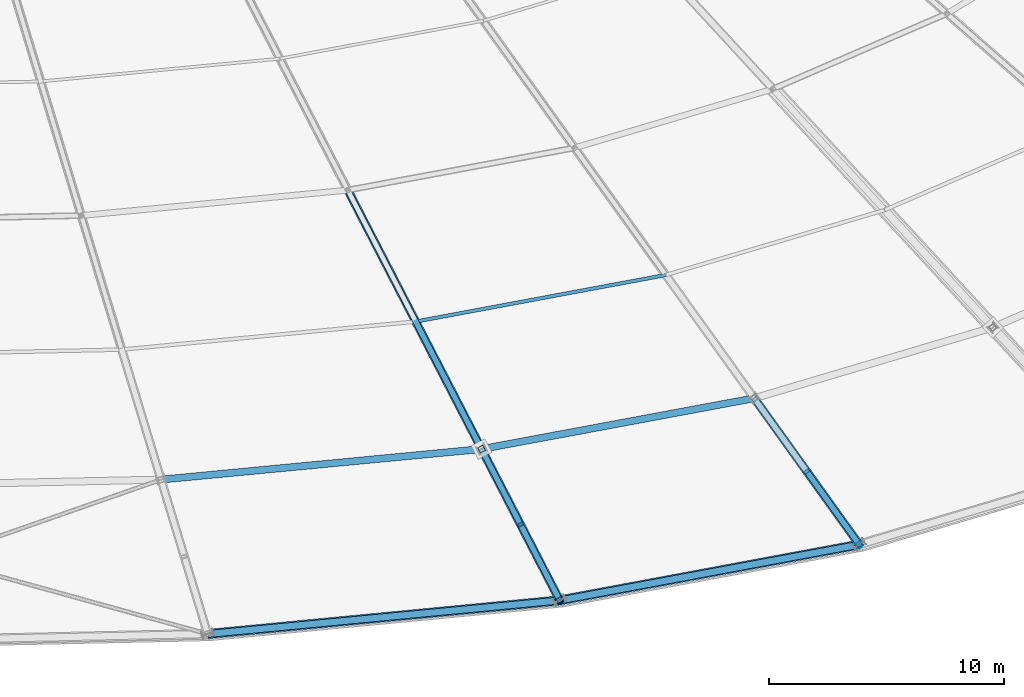
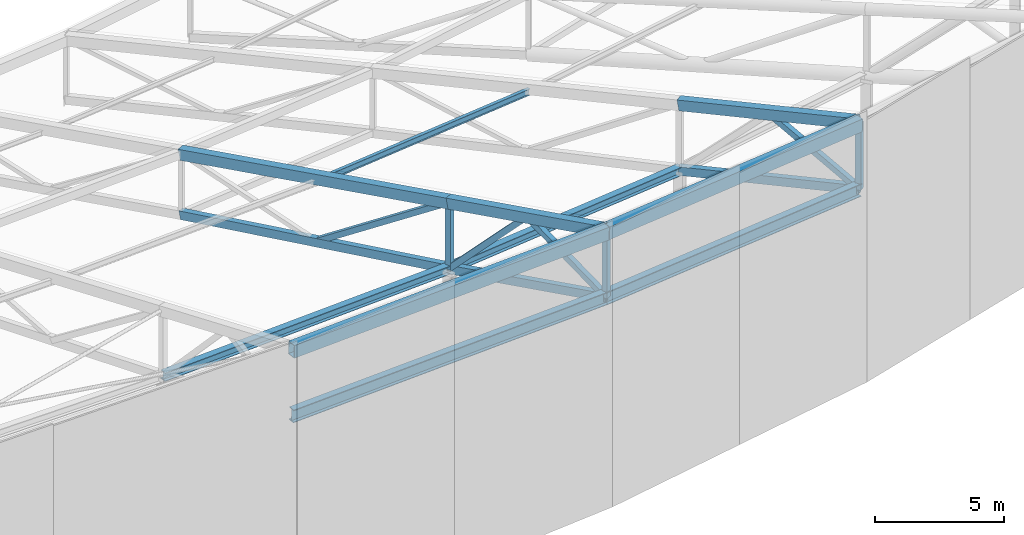
# One storey, part 56 of 143: 12 beams, 8 members.
"""IFC4 building model written with IfcOpenShell, lengths in metres."""

from ifc_helpers import new_model, si_unit, direction, frame, origin, origin_2d, place, context, subcontext, project, spatial, hollow_rectangle, i_section, extrude, material, material_profile, profile_set, type_object, element, save


model = new_model("IFC4")

# Units and contexts
model_context = context("Model", 3, precision=1e-05, world=origin(), true_north=direction((0.0, 1.0)))
body_context = subcontext(model_context, "Body", "Model", "MODEL_VIEW")
ifc_project = project(units=[si_unit("LENGTHUNIT", "METRE"), si_unit("AREAUNIT", "SQUARE_METRE"), si_unit("VOLUMEUNIT", "CUBIC_METRE"), si_unit("PLANEANGLEUNIT", "RADIAN"), si_unit("MASSUNIT", "GRAM", prefix="KILO")], contexts=[model_context])

# Site, building, storey
site_placement = place(None, origin())
site = spatial("IfcSite", under=ifc_project, at=site_placement, CompositionType="ELEMENT")
building_placement = place(site_placement, origin())
building = spatial("IfcBuilding", under=site, at=building_placement, Name="Mphavela Belvedere Stadium", CompositionType="ELEMENT")
storey_placement = place(building_placement, frame((0.0, 0.0, 28.800048828125)))
storey = spatial("IfcBuildingStorey", under=building, at=storey_placement, Name="RF", CompositionType="ELEMENT", Elevation=28.800048828125)

# Beams
ifc_material_1 = material(Name="Steel S355", Category="steel")
ifc_material_profile_1 = material_profile(ifc_material_1, hollow_rectangle(XDim=0.39990234375, YDim=0.60009765625, WallThickness=0.02001953125, at=origin_2d()), Name="RHS 600x400x20")
ifc_profile_set_1 = profile_set([ifc_material_profile_1], Name="Steel S355")
beam_type_1 = type_object("IfcBeamType", Name="BM-RING-OUT", PredefinedType="BEAM", material=ifc_profile_set_1)
beam_1_placement = place(storey_placement, frame((137.114501953125, 13.80615234375, 13.4423828125), z_axis=(0.994976959391, 0.094887306366, -0.031894347031), x_axis=(-0.094935605244, 0.995483415661, 0.0)))
element("IfcBeam", 1, at=beam_1_placement, inside=storey, type_object=beam_type_1, Name="Perimeter compression ring beam RB-OUT-38", PredefinedType="BEAM", context=body_context, shape_type="SweptSolid", body=[
    extrude(hollow_rectangle(XDim=0.39990234375, YDim=0.60009765625, WallThickness=0.02001953125, at=origin_2d()), origin(), (0.0, 0.0, 1.0), 15.03369140625),
])
beam_2_placement = place(storey_placement, frame((152.07275390625, 15.232666015625, 12.962890625), z_axis=(0.98139619099, 0.182760004955, -0.058824288339), x_axis=(-0.183077029882, 0.983098571421, 0.0)))
element("IfcBeam", 2, at=beam_2_placement, inside=storey, type_object=beam_type_1, Name="Perimeter compression ring beam RB-OUT-39", PredefinedType="BEAM", context=body_context, shape_type="SweptSolid", body=[
    extrude(hollow_rectangle(XDim=0.39990234375, YDim=0.60009765625, WallThickness=0.02001953125, at=origin_2d()), origin(), (0.0, 0.0, 1.0), 12.9697265625),
])
ifc_material_2 = material(Name="Steel S355", Category="steel")
ifc_material_profile_2 = material_profile(ifc_material_2, i_section(OverallWidth=0.300048828125, OverallDepth=0.39990234375, WebThickness=0.013427734375, FlangeThickness=0.02392578125, at=origin_2d()), Name="HEB 400")
ifc_profile_set_2 = profile_set([ifc_material_profile_2], Name="Steel S355")
beam_type_2 = type_object("IfcBeamType", Name="BM-STEEL-HEB400", PredefinedType="BEAM", material=ifc_profile_set_2)
beam_3_placement = place(storey_placement, frame((135.1328125, 20.365966796875, 8.922119140625), z_axis=(0.994977349993, 0.094882918131, -0.031895216698), x_axis=(-0.094931217412, 0.995483834103, 0.0)))
element("IfcBeam", 3, at=beam_3_placement, inside=storey, type_object=beam_type_2, Name="Roof bottom-chord tie girder R3-38", PredefinedType="BEAM", context=body_context, shape_type="SweptSolid", body=[
    extrude(i_section(OverallWidth=0.300048828125, OverallDepth=0.39990234375, WebThickness=0.013427734375, FlangeThickness=0.02392578125, at=origin_2d()), origin(), (0.0, 0.0, 1.0), 13.686279296875),
])
beam_4_placement = place(storey_placement, frame((148.750244140625, 21.66455078125, 8.485595703125), z_axis=(0.981396426974, 0.182764743443, -0.058805626242), x_axis=(-0.18308157494, 0.983097725009, 0.0)))
element("IfcBeam", 4, at=beam_4_placement, inside=storey, type_object=beam_type_2, Name="Roof bottom-chord tie girder R3-39", PredefinedType="BEAM", context=body_context, shape_type="SweptSolid", body=[
    extrude(i_section(OverallWidth=0.300048828125, OverallDepth=0.39990234375, WebThickness=0.013427734375, FlangeThickness=0.02392578125, at=origin_2d()), origin(), (0.0, 0.0, 1.0), 11.807373046875),
])
ifc_material_3 = material(Name="Steel S355", Category="steel")
ifc_material_profile_3 = material_profile(ifc_material_3, i_section(OverallWidth=0.300048828125, OverallDepth=0.60009765625, WebThickness=0.015380859375, FlangeThickness=0.030029296875, at=origin_2d()), Name="HEB 600")
ifc_profile_set_3 = profile_set([ifc_material_profile_3], Name="Steel S355")
beam_type_3 = type_object("IfcBeamType", Name="BM-STEEL-HEB600", PredefinedType="BEAM", material=ifc_profile_set_3)
beam_5_placement = place(storey_placement, frame((137.114501953125, 13.80615234375, 10.347412109375), z_axis=(0.994976959391, 0.094887306366, -0.031894347031), x_axis=(-0.094935605244, 0.995483415661, 0.0)))
element("IfcBeam", 5, at=beam_5_placement, inside=storey, type_object=beam_type_3, Name="Roof bottom-chord tie girder R4-38", PredefinedType="BEAM", context=body_context, shape_type="SweptSolid", body=[
    extrude(i_section(OverallWidth=0.300048828125, OverallDepth=0.60009765625, WebThickness=0.015380859375, FlangeThickness=0.030029296875, at=origin_2d()), origin(), (0.0, 0.0, 1.0), 15.03369140625),
])
beam_6_placement = place(storey_placement, frame((152.07275390625, 15.232666015625, 9.867919921875), z_axis=(0.98139619099, 0.182760004955, -0.058824288339), x_axis=(-0.183077029882, 0.983098571421, 0.0)))
element("IfcBeam", 6, at=beam_6_placement, inside=storey, type_object=beam_type_3, Name="Roof bottom-chord tie girder R4-39", PredefinedType="BEAM", context=body_context, shape_type="SweptSolid", body=[
    extrude(i_section(OverallWidth=0.300048828125, OverallDepth=0.60009765625, WebThickness=0.015380859375, FlangeThickness=0.030029296875, at=origin_2d()), origin(), (0.0, 0.0, 1.0), 12.9697265625),
])
ifc_material_4 = material(Name="Steel S355", Category="steel")
ifc_material_profile_4 = material_profile(ifc_material_4, hollow_rectangle(XDim=0.25, YDim=0.39990234375, WallThickness=0.01611328125, at=origin_2d()), Name="RHS 400x250x16")
ifc_profile_set_4 = profile_set([ifc_material_profile_4], Name="Steel S355")
beam_type_4 = type_object("IfcBeamType", Name="BM-TRUSS-BC2", PredefinedType="BEAM", material=ifc_profile_set_4)
beam_7_placement = place(storey_placement, frame((152.07275390625, 15.232666015625, 9.867919921875), z_axis=(-0.450806584804, 0.872694501922, -0.187557269686), x_axis=(-0.888461432436, -0.458951286165, 0.0)))
element("IfcBeam", 7, at=beam_7_placement, inside=storey, type_object=beam_type_4, Name="Radial roof truss RT-39 bottom chord 1", PredefinedType="BEAM", context=body_context, shape_type="SweptSolid", body=[
    extrude(hollow_rectangle(XDim=0.25, YDim=0.39990234375, WallThickness=0.01611328125, at=origin_2d()), origin(), (0.0, 0.0, 1.0), 7.3701171875),
])
beam_8_placement = place(storey_placement, frame((148.750244140625, 21.66455078125, 8.485595703125), z_axis=(-0.452410073989, 0.875785367681, -0.168300667586), x_axis=(-0.888458600926, -0.458956767507, 0.0)))
element("IfcBeam", 8, at=beam_8_placement, inside=storey, type_object=beam_type_4, Name="Radial roof truss RT-39 bottom chord 2", PredefinedType="BEAM", context=body_context, shape_type="SweptSolid", body=[
    extrude(hollow_rectangle(XDim=0.25, YDim=0.39990234375, WallThickness=0.01611328125, at=origin_2d()), origin(), (0.0, 0.0, 1.0), 12.5625),
])
beam_9_placement = place(storey_placement, frame((164.80126953125, 17.60302734375, 9.10498046875), z_axis=(-0.574643665793, 0.800735553335, -0.169136722767), x_axis=(-0.812440713385, -0.583043812448, 0.0)))
element("IfcBeam", 9, at=beam_9_placement, inside=storey, type_object=beam_type_4, Name="Radial roof truss RT-40 bottom chord 1", PredefinedType="BEAM", context=body_context, shape_type="SweptSolid", body=[
    extrude(hollow_rectangle(XDim=0.25, YDim=0.39990234375, WallThickness=0.01611328125, at=origin_2d()), origin(), (0.0, 0.0, 1.0), 7.76708984375),
])
ifc_material_5 = material(Name="Steel S355", Category="steel")
ifc_material_profile_5 = material_profile(ifc_material_5, hollow_rectangle(XDim=0.35009765625, YDim=0.5, WallThickness=0.02001953125, at=origin_2d()), Name="RHS 500x350x20")
ifc_profile_set_5 = profile_set([ifc_material_profile_5], Name="Steel S355")
beam_type_5 = type_object("IfcBeamType", Name="BM-TRUSS-TC2", PredefinedType="BEAM", material=ifc_profile_set_5)
beam_10_placement = place(storey_placement, frame((152.07275390625, 15.232666015625, 13.017822265625), z_axis=(-0.450809385422, 0.872699923502, -0.187525309051), x_axis=(-0.888461432436, -0.458951286165, 0.0)))
element("IfcBeam", 10, at=beam_10_placement, inside=storey, type_object=beam_type_5, Name="Radial roof truss RT-39 top chord 1", PredefinedType="BEAM", context=body_context, shape_type="SweptSolid", body=[
    extrude(hollow_rectangle(XDim=0.35009765625, YDim=0.5, WallThickness=0.02001953125, at=origin_2d()), origin(), (0.0, 0.0, 1.0), 7.3701171875),
])
beam_11_placement = place(storey_placement, frame((148.750244140625, 21.66455078125, 11.6357421875), z_axis=(-0.450812084238, 0.872691943989, -0.187555953256), x_axis=(-0.888458600926, -0.458956767507, 0.0)))
element("IfcBeam", 11, at=beam_11_placement, inside=storey, type_object=beam_type_5, Name="Radial roof truss RT-39 top chord 2", PredefinedType="BEAM", context=body_context, shape_type="SweptSolid", body=[
    extrude(hollow_rectangle(XDim=0.35009765625, YDim=0.5, WallThickness=0.02001953125, at=origin_2d()), origin(), (0.0, 0.0, 1.0), 12.60693359375),
])
beam_12_placement = place(storey_placement, frame((164.80126953125, 17.60302734375, 12.255126953125), z_axis=(-0.574640610532, 0.800731295991, -0.169167255545), x_axis=(-0.812440713385, -0.583043812448, 0.0)))
element("IfcBeam", 12, at=beam_12_placement, inside=storey, type_object=beam_type_5, Name="Radial roof truss RT-40 top chord 1", PredefinedType="BEAM", context=body_context, shape_type="SweptSolid", body=[
    extrude(hollow_rectangle(XDim=0.35009765625, YDim=0.5, WallThickness=0.02001953125, at=origin_2d()), origin(), (0.0, 0.0, 1.0), 7.767333984375),
])

# Members
ifc_material_6 = material(Name="Steel S355", Category="steel")
ifc_material_profile_6 = material_profile(ifc_material_6, hollow_rectangle(XDim=0.25, YDim=0.25, WallThickness=0.012451171875, at=origin_2d()), Name="SHS 250x250x12.5")
ifc_profile_set_6 = profile_set([ifc_material_profile_6], Name="Steel S355")
member_type_1 = type_object("IfcMemberType", Name="MEM-POST-SHS250", PredefinedType="POST", material=ifc_profile_set_6)
member_1_placement = place(storey_placement, frame((152.07275390625, 15.232666015625, 9.867919921875), z_axis=(0.0, 0.0, 1.0), x_axis=(0.458959712465, -0.888457079624, 0.0)))
element("IfcMember", 13, at=member_1_placement, inside=storey, type_object=member_type_1, Name="Radial roof truss RT-39 post P1", PredefinedType="POST", context=body_context, shape_type="SweptSolid", body=[
    extrude(hollow_rectangle(XDim=0.25, YDim=0.25, WallThickness=0.012451171875, at=origin_2d()), origin(), (0.0, 0.0, 1.0), 3.14990234375),
])
member_2_placement = place(storey_placement, frame((148.750244140625, 21.66455078125, 8.485595703125), z_axis=(0.0, 0.0, 1.0), x_axis=(0.458959712465, -0.888457079624, 0.0)))
element("IfcMember", 14, at=member_2_placement, inside=storey, type_object=member_type_1, Name="Radial roof truss RT-39 post P2", PredefinedType="POST", context=body_context, shape_type="SweptSolid", body=[
    extrude(hollow_rectangle(XDim=0.25, YDim=0.25, WallThickness=0.012451171875, at=origin_2d()), origin(), (0.0, 0.0, 1.0), 3.150146484375),
])
member_3_placement = place(storey_placement, frame((152.07275390625, 15.232666015625, 9.867919921875), z_axis=(-0.379631562425, 0.734936352185, 0.561914971368), x_axis=(-0.888468080483, -0.458938416308, 0.0)))
element("IfcMember", 15, at=member_3_placement, inside=storey, type_object=member_type_1, Name="Radial roof truss RT-39 web diagonal D1", PredefinedType="POST", context=body_context, shape_type="SweptSolid", body=[
    extrude(hollow_rectangle(XDim=0.25, YDim=0.25, WallThickness=0.012451171875, at=origin_2d()), origin(), (0.0, 0.0, 1.0), 4.375732421875),
])
member_4_placement = place(storey_placement, frame((150.41162109375, 18.448486328125, 12.32666015625), z_axis=(-0.314775449626, 0.609336810862, -0.727753438495), x_axis=(-0.888454784808, -0.458964154757, 0.0)))
element("IfcMember", 16, at=member_4_placement, inside=storey, type_object=member_type_1, Name="Radial roof truss RT-39 web diagonal D2", PredefinedType="POST", context=body_context, shape_type="SweptSolid", body=[
    extrude(hollow_rectangle(XDim=0.25, YDim=0.25, WallThickness=0.012451171875, at=origin_2d()), origin(), (0.0, 0.0, 1.0), 5.278076171875),
])
member_5_placement = place(storey_placement, frame((148.750244140625, 21.66455078125, 11.6357421875), z_axis=(-0.379595340709, 0.734860573662, -0.562038534791), x_axis=(-0.888466640129, -0.458941204707, 0.0)))
element("IfcMember", 17, at=member_5_placement, inside=storey, type_object=member_type_1, Name="Radial roof truss RT-39 web diagonal D3", PredefinedType="POST", context=body_context, shape_type="SweptSolid", body=[
    extrude(hollow_rectangle(XDim=0.25, YDim=0.25, WallThickness=0.012451171875, at=origin_2d()), origin(), (0.0, 0.0, 1.0), 7.48583984375),
])
member_6_placement = place(storey_placement, frame((164.80126953125, 17.60302734375, 9.10498046875), z_axis=(0.0, 0.0, 1.0), x_axis=(0.582974127943, -0.812490717577, 0.0)))
element("IfcMember", 18, at=member_6_placement, inside=storey, type_object=member_type_1, Name="Radial roof truss RT-40 post P1", PredefinedType="POST", context=body_context, shape_type="SweptSolid", body=[
    extrude(hollow_rectangle(XDim=0.25, YDim=0.25, WallThickness=0.012451171875, at=origin_2d()), origin(), (0.0, 0.0, 1.0), 3.150146484375),
])
member_7_placement = place(storey_placement, frame((164.80126953125, 17.60302734375, 9.10498046875), z_axis=(-0.488537586903, 0.680778009186, 0.545776811886), x_axis=(-0.812451554227, -0.583028706012, 0.0)))
element("IfcMember", 19, at=member_7_placement, inside=storey, type_object=member_type_1, Name="Radial roof truss RT-40 web diagonal D1", PredefinedType="POST", context=body_context, shape_type="SweptSolid", body=[
    extrude(hollow_rectangle(XDim=0.25, YDim=0.25, WallThickness=0.012451171875, at=origin_2d()), origin(), (0.0, 0.0, 1.0), 4.568115234375),
])
ifc_material_7 = material(Name="Steel S355", Category="steel")
ifc_material_profile_7 = material_profile(ifc_material_7, i_section(OverallWidth=0.14990234375, OverallDepth=0.300048828125, WebThickness=0.007080078125, FlangeThickness=0.0107421875, at=origin_2d()), Name="IPE 300")
ifc_profile_set_7 = profile_set([ifc_material_profile_7], Name="Steel S355")
member_type_2 = type_object("IfcMemberType", Name="MEM-PURLIN-IPE300", PredefinedType="PURLIN", material=ifc_profile_set_7)
member_8_placement = place(storey_placement, frame((145.952392578125, 27.0810546875, 10.28173828125), z_axis=(0.981396162786, 0.182760459831, -0.058823345633), x_axis=(-0.18307747536, 0.983098488462, 0.0)))
element("IfcMember", 20, at=member_8_placement, inside=storey, type_object=member_type_2, Name="Saddle canopy steel purlin 39-2", PredefinedType="PURLIN", context=body_context, shape_type="SweptSolid", body=[
    extrude(i_section(OverallWidth=0.14990234375, OverallDepth=0.300048828125, WebThickness=0.007080078125, FlangeThickness=0.0107421875, at=origin_2d()), origin(), (0.0, 0.0, 1.0), 10.828369140625),
])

save(model, "model.ifc")
